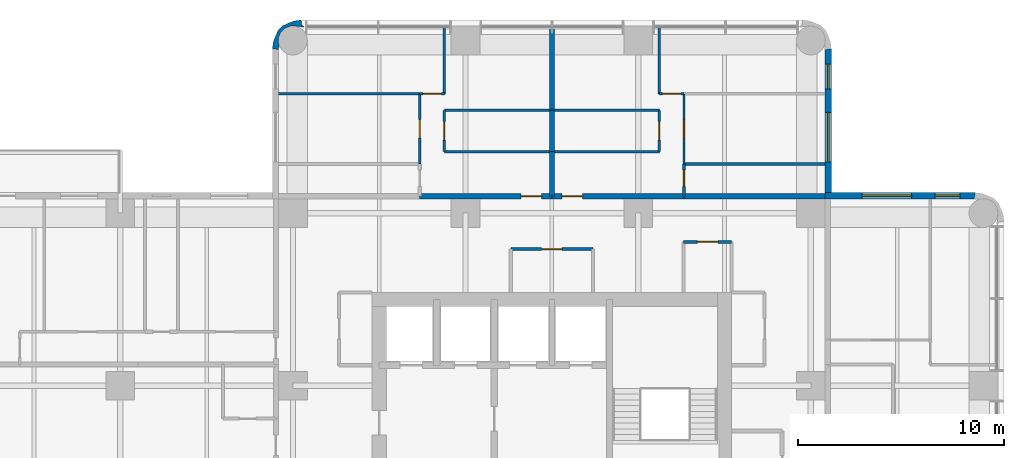
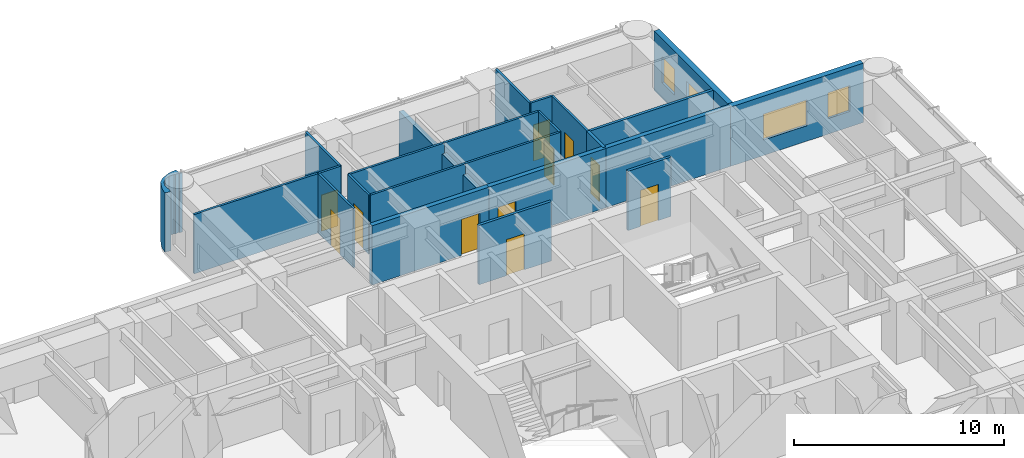
# One storey, part 9 of 11: 26 walls, 11 doors, 4 windows, 15 openings.
"""IFC4 building model written with IfcOpenShell, lengths in metres."""

from ifc_helpers import new_model, si_unit, direction, frame, frame_2d, origin, place, context, subcontext, project, spatial, polyline, rectangle, outline, extrude, material, layer, layer_set, type_object, element, fill, save


model = new_model("IFC4")

# Units and contexts
model_context = context("Model", 3, precision=1e-05, world=origin(), true_north=direction((0.0, 1.0)))
body_context = subcontext(model_context, "Body", "Model", "MODEL_VIEW")
ifc_project = project(units=[si_unit("LENGTHUNIT", "METRE"), si_unit("AREAUNIT", "SQUARE_METRE"), si_unit("VOLUMEUNIT", "CUBIC_METRE"), si_unit("PLANEANGLEUNIT", "RADIAN"), si_unit("MASSUNIT", "GRAM", prefix="KILO")], contexts=[model_context])

# Site, building, storey
site_placement = place(None, origin())
site = spatial("IfcSite", under=ifc_project, at=site_placement, CompositionType="ELEMENT")
building_placement = place(site_placement, origin())
building = spatial("IfcBuilding", under=site, at=building_placement, Name="Torre Alcanfor", CompositionType="ELEMENT")
storey_placement = place(building_placement, frame((0.0, 0.0, 212.10009765625)))
storey = spatial("IfcBuildingStorey", under=building, at=storey_placement, Name="L55", CompositionType="ELEMENT", Elevation=212.10009765625)

# Wall, opening, door
ifc_material_1 = material(Name="Concrete block masonry, hollow blocks NMX-C-404 9 MPa", Category="masonry")
ifc_layer_1 = layer(ifc_material_1, 0.25)
ifc_layer_set_1 = layer_set([ifc_layer_1], Name="Apartment entrance wall 250 EI 60")
wall_type_1 = type_object("IfcWallType", Name="Apartment entrance wall 250 EI 60", PredefinedType="PARTITIONING", material=ifc_layer_set_1)
wall_1_placement = place(storey_placement, frame((22.970947265625, 42.824951171875, 0.0), z_axis=(0.0, 0.0, 1.0), x_axis=(1.0, 0.0, 0.0)))
wall_1 = element("IfcWall", 1, at=wall_1_placement, inside=storey, type_object=wall_type_1, Name="Partition L55-CORR / L55-N1-LIVING", PredefinedType="PARTITIONING", context=body_context, shape_type="SweptSolid", body=[
    extrude(rectangle(XDim=6.428955078125, YDim=0.25, at=frame_2d((3.21435546875, 0.0))), origin(), (0.0, 0.0, 1.0), 3.449951171875),
])
opening_1_placement = place(wall_1_placement, frame((4.928955078125, 0.0, 0.0)))
opening_1 = element("IfcOpeningElement", 2, at=opening_1_placement, cuts=wall_1, Name="Opening D-A1", PredefinedType="OPENING", context=body_context, shape_type="SweptSolid", body=[
    extrude(rectangle(XDim=1.0, YDim=2.10009765625, at=frame_2d((0.5, 1.050048828125))), frame((0.0, 0.135009765625, 0.0), z_axis=(0.0, -1.0, 0.0), x_axis=(1.0, 0.0, 0.0)), (0.0, 0.0, 1.0), 0.27001953125),
])
ifc_material_2 = material(Name="Galvanised steel sheet ASTM A653", Category="steel")
door_type_1 = type_object("IfcDoorType", Name="Apartment entrance door FD60 1000x2100", OperationType="SINGLE_SWING_LEFT", PredefinedType="DOOR", material=ifc_material_2)
door_1_placement = place(opening_1_placement, origin())
door_1 = element("IfcDoor", 3, at=door_1_placement, inside=storey, type_object=door_type_1, Name="Apartment entrance L55-N1", OperationType="SINGLE_SWING_RIGHT", OverallHeight=2.10009765625, OverallWidth=1.0, PredefinedType="DOOR", context=body_context, shape_type="SweptSolid", body=[
    extrude(rectangle(XDim=1.0, YDim=2.10009765625, at=frame_2d((0.5, 1.050048828125))), frame((0.0, 0.02490234375, 0.0), z_axis=(0.0, -1.0, 0.0), x_axis=(1.0, 0.0, 0.0)), (0.0, 0.0, 1.0), 0.050048828125),
])
fill(opening_1, door_1)

wall_2_placement = place(storey_placement, frame((29.39990234375, 42.824951171875, 0.0), z_axis=(0.0, 0.0, 1.0), x_axis=(1.0, 0.0, 0.0)))
wall_2 = element("IfcWall", 4, at=wall_2_placement, inside=storey, type_object=wall_type_1, Name="Partition L55-CORR / L55-N2-LIVING", PredefinedType="PARTITIONING", context=body_context, shape_type="SweptSolid", body=[
    extrude(rectangle(XDim=6.42919921875, YDim=0.25, at=frame_2d((3.214599609375, 0.0))), origin(), (0.0, 0.0, 1.0), 3.449951171875),
])
opening_2_placement = place(wall_2_placement, frame((0.5, 0.0, 0.0)))
opening_2 = element("IfcOpeningElement", 5, at=opening_2_placement, cuts=wall_2, Name="Opening D-A1", PredefinedType="OPENING", context=body_context, shape_type="SweptSolid", body=[
    extrude(rectangle(XDim=1.0, YDim=2.10009765625, at=frame_2d((0.5, 1.050048828125))), frame((0.0, 0.135009765625, 0.0), z_axis=(0.0, -1.0, 0.0), x_axis=(1.0, 0.0, 0.0)), (0.0, 0.0, 1.0), 0.27001953125),
])
door_2_placement = place(opening_2_placement, origin())
door_2 = element("IfcDoor", 6, at=door_2_placement, inside=storey, type_object=door_type_1, Name="Apartment entrance L55-N2", OperationType="SINGLE_SWING_LEFT", OverallHeight=2.10009765625, OverallWidth=1.0, PredefinedType="DOOR", context=body_context, shape_type="SweptSolid", body=[
    extrude(rectangle(XDim=1.0, YDim=2.10009765625, at=frame_2d((0.5, 1.050048828125))), frame((0.0, 0.02490234375, 0.0), z_axis=(0.0, -1.0, 0.0), x_axis=(1.0, 0.0, 0.0)), (0.0, 0.0, 1.0), 0.050048828125),
])
fill(opening_2, door_2)

# Walls
wall_3_placement = place(storey_placement, frame((35.8291015625, 42.824951171875, 0.0), z_axis=(0.0, 0.0, 1.0), x_axis=(1.0, 0.0, 0.0)))
element("IfcWall", 7, at=wall_3_placement, inside=storey, type_object=wall_type_1, Name="Partition L55-CORR / L55-N2-BATH", PredefinedType="PARTITIONING", context=body_context, shape_type="SweptSolid", body=[
    extrude(rectangle(XDim=6.870849609375, YDim=0.25, at=frame_2d((3.435546875, 0.0))), origin(), (0.0, 0.0, 1.0), 3.449951171875),
])
ifc_material_3 = material(Name="Gypsum board on steel studs", Category="steel")
ifc_layer_2 = layer(ifc_material_3, 0.1201171875)
ifc_layer_set_2 = layer_set([ifc_layer_2], Name="Apartment partition 120")
wall_type_2 = type_object("IfcWallType", Name="Apartment partition 120", PredefinedType="PARTITIONING", material=ifc_layer_set_2)
wall_4_placement = place(storey_placement, frame((29.39990234375, 47.0, 0.0), z_axis=(0.0, 0.0, 1.0), x_axis=(-1.0, 0.0, 0.0)))
element("IfcWall", 8, at=wall_4_placement, inside=storey, type_object=wall_type_2, Name="Partition L55-N1-KITCHEN / L55-N1-LIVING", PredefinedType="PARTITIONING", context=body_context, shape_type="SweptSolid", body=[
    extrude(rectangle(XDim=5.22900390625, YDim=0.1201171875, at=frame_2d((2.614501953125, 0.0))), origin(), (0.0, 0.0, 1.0), 3.449951171875),
])

# Wall, opening, door
wall_5_placement = place(storey_placement, frame((24.1708984375, 47.0, 0.0), z_axis=(0.0, 0.0, 1.0), x_axis=(0.0, -1.0, 0.0)))
wall_5 = element("IfcWall", 9, at=wall_5_placement, inside=storey, type_object=wall_type_2, Name="Partition L55-N1-KITCHEN / L55-N1-LIVING", PredefinedType="PARTITIONING", context=body_context, shape_type="SweptSolid", body=[
    extrude(rectangle(XDim=2.0, YDim=0.1201171875, at=frame_2d((1.0, 0.0))), origin(), (0.0, 0.0, 1.0), 3.449951171875),
])
opening_3_placement = place(wall_5_placement, frame((0.550048828125, 0.0, 0.0)))
opening_3 = element("IfcOpeningElement", 10, at=opening_3_placement, cuts=wall_5, Name="Opening D-R1", PredefinedType="OPENING", context=body_context, shape_type="SweptSolid", body=[
    extrude(rectangle(XDim=0.89990234375, YDim=2.10009765625, at=frame_2d((0.449951171875, 1.050048828125))), frame((0.0, 0.070068359375, 0.0), z_axis=(0.0, -1.0, 0.0), x_axis=(1.0, 0.0, 0.0)), (0.0, 0.0, 1.0), 0.14013671875),
])
ifc_material_4 = material(Name="Timber", Category="wood")
door_type_2 = type_object("IfcDoorType", Name="Internal door 900x2100", OperationType="SINGLE_SWING_LEFT", PredefinedType="DOOR", material=ifc_material_4)
door_3_placement = place(opening_3_placement, origin())
door_3 = element("IfcDoor", 11, at=door_3_placement, inside=storey, type_object=door_type_2, Name="Door L55-N1 kitchen", OperationType="SINGLE_SWING_LEFT", OverallHeight=2.10009765625, OverallWidth=0.89990234375, PredefinedType="DOOR", context=body_context, shape_type="SweptSolid", body=[
    extrude(rectangle(XDim=0.89990234375, YDim=2.10009765625, at=frame_2d((0.449951171875, 1.050048828125))), frame((0.0, 0.02490234375, 0.0), z_axis=(0.0, -1.0, 0.0), x_axis=(1.0, 0.0, 0.0)), (0.0, 0.0, 1.0), 0.050048828125),
])
fill(opening_3, door_3)

# Wall
wall_6_placement = place(storey_placement, frame((24.1708984375, 45.0, 0.0), z_axis=(0.0, 0.0, 1.0), x_axis=(1.0, 0.0, 0.0)))
element("IfcWall", 12, at=wall_6_placement, inside=storey, type_object=wall_type_2, Name="Partition L55-N1-KITCHEN / L55-N1-LIVING", PredefinedType="PARTITIONING", context=body_context, shape_type="SweptSolid", body=[
    extrude(rectangle(XDim=5.22900390625, YDim=0.1201171875, at=frame_2d((2.614501953125, 0.0))), origin(), (0.0, 0.0, 1.0), 3.449951171875),
])

# Wall, opening, door
wall_7_placement = place(storey_placement, frame((22.970947265625, 44.39990234375, 0.0), z_axis=(0.0, 0.0, 1.0), x_axis=(0.0, 1.0, 0.0)))
wall_7 = element("IfcWall", 13, at=wall_7_placement, inside=storey, type_object=wall_type_2, Name="Partition L55-N1-LIVING / L55-N1-STUDY", PredefinedType="PARTITIONING", context=body_context, shape_type="SweptSolid", body=[
    extrude(rectangle(XDim=3.400146484375, YDim=0.1201171875, at=frame_2d((1.7001953125, 0.0))), origin(), (0.0, 0.0, 1.0), 3.449951171875),
])
opening_4_placement = place(wall_7_placement, frame((1.25, 0.0, 0.0)))
opening_4 = element("IfcOpeningElement", 14, at=opening_4_placement, cuts=wall_7, Name="Opening D-R1", PredefinedType="OPENING", context=body_context, shape_type="SweptSolid", body=[
    extrude(rectangle(XDim=0.89990234375, YDim=2.10009765625, at=frame_2d((0.449951171875, 1.050048828125))), frame((0.0, 0.070068359375, 0.0), z_axis=(0.0, -1.0, 0.0), x_axis=(1.0, 0.0, 0.0)), (0.0, 0.0, 1.0), 0.14013671875),
])
door_4_placement = place(opening_4_placement, origin())
door_4 = element("IfcDoor", 15, at=door_4_placement, inside=storey, type_object=door_type_2, Name="Door L55-N1 study", OperationType="SINGLE_SWING_LEFT", OverallHeight=2.10009765625, OverallWidth=0.89990234375, PredefinedType="DOOR", context=body_context, shape_type="SweptSolid", body=[
    extrude(rectangle(XDim=0.89990234375, YDim=2.10009765625, at=frame_2d((0.449951171875, 1.050048828125))), frame((0.0, 0.02490234375, 0.0), z_axis=(0.0, -1.0, 0.0), x_axis=(1.0, 0.0, 0.0)), (0.0, 0.0, 1.0), 0.050048828125),
])
fill(opening_4, door_4)

wall_8_placement = place(storey_placement, frame((22.970947265625, 47.800048828125, 0.0), z_axis=(0.0, 0.0, 1.0), x_axis=(1.0, 0.0, 0.0)))
wall_8 = element("IfcWall", 16, at=wall_8_placement, inside=storey, type_object=wall_type_2, Name="Partition L55-N1-LIVING / L55-N1-MASTER", PredefinedType="PARTITIONING", context=body_context, shape_type="SweptSolid", body=[
    extrude(rectangle(XDim=1.199951171875, YDim=0.1201171875, at=frame_2d((0.60009765625, 0.0))), origin(), (0.0, 0.0, 1.0), 3.449951171875),
])
opening_5_placement = place(wall_8_placement, frame((0.14892578125, 0.0, 0.0)))
opening_5 = element("IfcOpeningElement", 17, at=opening_5_placement, cuts=wall_8, Name="Opening D-R1", PredefinedType="OPENING", context=body_context, shape_type="SweptSolid", body=[
    extrude(rectangle(XDim=0.89990234375, YDim=2.10009765625, at=frame_2d((0.449951171875, 1.050048828125))), frame((0.0, 0.070068359375, 0.0), z_axis=(0.0, -1.0, 0.0), x_axis=(1.0, 0.0, 0.0)), (0.0, 0.0, 1.0), 0.14013671875),
])
door_5_placement = place(opening_5_placement, origin())
door_5 = element("IfcDoor", 18, at=door_5_placement, inside=storey, type_object=door_type_2, Name="Door L55-N1 master", OperationType="SINGLE_SWING_RIGHT", OverallHeight=2.10009765625, OverallWidth=0.89990234375, PredefinedType="DOOR", context=body_context, shape_type="SweptSolid", body=[
    extrude(rectangle(XDim=0.89990234375, YDim=2.10009765625, at=frame_2d((0.449951171875, 1.050048828125))), frame((0.0, 0.02490234375, 0.0), z_axis=(0.0, -1.0, 0.0), x_axis=(1.0, 0.0, 0.0)), (0.0, 0.0, 1.0), 0.050048828125),
])
fill(opening_5, door_5)

# Walls
wall_9_placement = place(storey_placement, frame((24.1708984375, 47.800048828125, 0.0), z_axis=(0.0, 0.0, 1.0), x_axis=(0.0, 1.0, 0.0)))
element("IfcWall", 19, at=wall_9_placement, inside=storey, type_object=wall_type_2, Name="Partition L55-N1-LIVING / L55-N1-MASTER", PredefinedType="PARTITIONING", context=body_context, shape_type="SweptSolid", body=[
    extrude(rectangle(XDim=3.25, YDim=0.1201171875, at=frame_2d((1.625, 0.0))), origin(), (0.0, 0.0, 1.0), 3.449951171875),
])
wall_10_placement = place(storey_placement, frame((22.970947265625, 47.800048828125, 0.0), z_axis=(0.0, 0.0, 1.0), x_axis=(-1.0, 0.0, 0.0)))
element("IfcWall", 20, at=wall_10_placement, inside=storey, type_object=wall_type_2, Name="Partition L55-N1-STUDY / L55-N1-MASTER", PredefinedType="PARTITIONING", context=body_context, shape_type="SweptSolid", body=[
    extrude(rectangle(XDim=6.870849609375, YDim=0.1201171875, at=frame_2d((3.435546875, 0.0))), origin(), (0.0, 0.0, 1.0), 3.449951171875),
])
wall_11_placement = place(storey_placement, frame((29.39990234375, 47.0, 0.0), z_axis=(0.0, 0.0, 1.0), x_axis=(1.0, 0.0, 0.0)))
element("IfcWall", 21, at=wall_11_placement, inside=storey, type_object=wall_type_2, Name="Partition L55-N2-KITCHEN / L55-N2-LIVING", PredefinedType="PARTITIONING", context=body_context, shape_type="SweptSolid", body=[
    extrude(rectangle(XDim=5.22900390625, YDim=0.1201171875, at=frame_2d((2.614501953125, 0.0))), origin(), (0.0, 0.0, 1.0), 3.449951171875),
])

# Wall, opening, door
wall_12_placement = place(storey_placement, frame((34.62890625, 47.0, 0.0), z_axis=(0.0, 0.0, 1.0), x_axis=(0.0, -1.0, 0.0)))
wall_12 = element("IfcWall", 22, at=wall_12_placement, inside=storey, type_object=wall_type_2, Name="Partition L55-N2-KITCHEN / L55-N2-LIVING", PredefinedType="PARTITIONING", context=body_context, shape_type="SweptSolid", body=[
    extrude(rectangle(XDim=2.0, YDim=0.1201171875, at=frame_2d((1.0, 0.0))), origin(), (0.0, 0.0, 1.0), 3.449951171875),
])
opening_6_placement = place(wall_12_placement, frame((0.550048828125, 0.0, 0.0)))
opening_6 = element("IfcOpeningElement", 23, at=opening_6_placement, cuts=wall_12, Name="Opening D-R1", PredefinedType="OPENING", context=body_context, shape_type="SweptSolid", body=[
    extrude(rectangle(XDim=0.89990234375, YDim=2.10009765625, at=frame_2d((0.449951171875, 1.050048828125))), frame((0.0, 0.070068359375, 0.0), z_axis=(0.0, -1.0, 0.0), x_axis=(1.0, 0.0, 0.0)), (0.0, 0.0, 1.0), 0.14013671875),
])
door_6_placement = place(opening_6_placement, frame((0.89990234375, 0.0, 0.0), z_axis=(0.0, 0.0, 1.0), x_axis=(-1.0, 0.0, 0.0)))
door_6 = element("IfcDoor", 24, at=door_6_placement, inside=storey, type_object=door_type_2, Name="Door L55-N2 kitchen", OperationType="SINGLE_SWING_RIGHT", OverallHeight=2.10009765625, OverallWidth=0.89990234375, PredefinedType="DOOR", context=body_context, shape_type="SweptSolid", body=[
    extrude(rectangle(XDim=0.89990234375, YDim=2.10009765625, at=frame_2d((0.449951171875, 1.050048828125))), frame((0.0, 0.025146484375, 0.0), z_axis=(0.0, -1.0, 0.0), x_axis=(1.0, 0.0, 0.0)), (0.0, 0.0, 1.0), 0.050048828125),
])
fill(opening_6, door_6)

# Wall
wall_13_placement = place(storey_placement, frame((34.62890625, 45.0, 0.0), z_axis=(0.0, 0.0, 1.0), x_axis=(-1.0, 0.0, 0.0)))
element("IfcWall", 25, at=wall_13_placement, inside=storey, type_object=wall_type_2, Name="Partition L55-N2-KITCHEN / L55-N2-LIVING", PredefinedType="PARTITIONING", context=body_context, shape_type="SweptSolid", body=[
    extrude(rectangle(XDim=5.22900390625, YDim=0.1201171875, at=frame_2d((2.614501953125, 0.0))), origin(), (0.0, 0.0, 1.0), 3.449951171875),
])

# Wall, opening, door
wall_14_placement = place(storey_placement, frame((35.8291015625, 47.800048828125, 0.0), z_axis=(0.0, 0.0, 1.0), x_axis=(0.0, -1.0, 0.0)))
wall_14 = element("IfcWall", 26, at=wall_14_placement, inside=storey, type_object=wall_type_2, Name="Partition L55-N2-LIVING / L55-N2-STUDY", PredefinedType="PARTITIONING", context=body_context, shape_type="SweptSolid", body=[
    extrude(rectangle(XDim=3.400146484375, YDim=0.1201171875, at=frame_2d((1.7001953125, 0.0))), origin(), (0.0, 0.0, 1.0), 3.449951171875),
])
opening_7_placement = place(wall_14_placement, frame((1.25, 0.0, 0.0)))
opening_7 = element("IfcOpeningElement", 27, at=opening_7_placement, cuts=wall_14, Name="Opening D-R1", PredefinedType="OPENING", context=body_context, shape_type="SweptSolid", body=[
    extrude(rectangle(XDim=0.89990234375, YDim=2.10009765625, at=frame_2d((0.449951171875, 1.050048828125))), frame((0.0, 0.070068359375, 0.0), z_axis=(0.0, -1.0, 0.0), x_axis=(1.0, 0.0, 0.0)), (0.0, 0.0, 1.0), 0.14013671875),
])
door_7_placement = place(opening_7_placement, origin())
door_7 = element("IfcDoor", 28, at=door_7_placement, inside=storey, type_object=door_type_2, Name="Door L55-N2 study", OperationType="SINGLE_SWING_LEFT", OverallHeight=2.10009765625, OverallWidth=0.89990234375, PredefinedType="DOOR", context=body_context, shape_type="SweptSolid", body=[
    extrude(rectangle(XDim=0.89990234375, YDim=2.10009765625, at=frame_2d((0.449951171875, 1.050048828125))), frame((0.0, 0.02490234375, 0.0), z_axis=(0.0, -1.0, 0.0), x_axis=(1.0, 0.0, 0.0)), (0.0, 0.0, 1.0), 0.050048828125),
])
fill(opening_7, door_7)

# Wall
wall_15_placement = place(storey_placement, frame((34.62890625, 51.050048828125, 0.0), z_axis=(0.0, 0.0, 1.0), x_axis=(0.0, -1.0, 0.0)))
element("IfcWall", 29, at=wall_15_placement, inside=storey, type_object=wall_type_2, Name="Partition L55-N2-LIVING / L55-N2-MASTER", PredefinedType="PARTITIONING", context=body_context, shape_type="SweptSolid", body=[
    extrude(rectangle(XDim=3.25, YDim=0.1201171875, at=frame_2d((1.625, 0.0))), origin(), (0.0, 0.0, 1.0), 3.449951171875),
])

# Wall, opening, door
wall_16_placement = place(storey_placement, frame((34.62890625, 47.800048828125, 0.0), z_axis=(0.0, 0.0, 1.0), x_axis=(1.0, 0.0, 0.0)))
wall_16 = element("IfcWall", 30, at=wall_16_placement, inside=storey, type_object=wall_type_2, Name="Partition L55-N2-LIVING / L55-N2-MASTER", PredefinedType="PARTITIONING", context=body_context, shape_type="SweptSolid", body=[
    extrude(rectangle(XDim=1.2001953125, YDim=0.1201171875, at=frame_2d((0.60009765625, 0.0))), origin(), (0.0, 0.0, 1.0), 3.449951171875),
])
opening_8_placement = place(wall_16_placement, frame((0.15087890625, 0.0, 0.0)))
opening_8 = element("IfcOpeningElement", 31, at=opening_8_placement, cuts=wall_16, Name="Opening D-R1", PredefinedType="OPENING", context=body_context, shape_type="SweptSolid", body=[
    extrude(rectangle(XDim=0.89990234375, YDim=2.10009765625, at=frame_2d((0.449951171875, 1.050048828125))), frame((0.0, 0.070068359375, 0.0), z_axis=(0.0, -1.0, 0.0), x_axis=(1.0, 0.0, 0.0)), (0.0, 0.0, 1.0), 0.14013671875),
])
door_8_placement = place(opening_8_placement, origin())
door_8 = element("IfcDoor", 32, at=door_8_placement, inside=storey, type_object=door_type_2, Name="Door L55-N2 master", OperationType="SINGLE_SWING_LEFT", OverallHeight=2.10009765625, OverallWidth=0.89990234375, PredefinedType="DOOR", context=body_context, shape_type="SweptSolid", body=[
    extrude(rectangle(XDim=0.89990234375, YDim=2.10009765625, at=frame_2d((0.449951171875, 1.050048828125))), frame((0.0, 0.02490234375, 0.0), z_axis=(0.0, -1.0, 0.0), x_axis=(1.0, 0.0, 0.0)), (0.0, 0.0, 1.0), 0.050048828125),
])
fill(opening_8, door_8)

# Wall, openings, windows
ifc_material_5 = material(Name="Limestone cladding", Category="masonry")
ifc_layer_3 = layer(ifc_material_5, 0.0400390625, Name="Facing")
ifc_material_6 = material(Name="Ventilated air cavity")
ifc_layer_4 = layer(ifc_material_6, 0.02001953125, ventilated=True, Name="Ventilated joint")
ifc_material_7 = material(Name="Mineral wool insulation", Category="insulation")
ifc_layer_5 = layer(ifc_material_7, 0.10009765625, Name="Insulation")
ifc_material_8 = material(Name="Concrete f'c 35 MPa", Category="concrete")
ifc_layer_6 = layer(ifc_material_8, 0.139892578125, Name="Backing")
ifc_layer_set_3 = layer_set([ifc_layer_3, ifc_layer_4, ifc_layer_5, ifc_layer_6], Name="External wall stone-clad 300")
wall_type_3 = type_object("IfcWallType", Name="External wall stone-clad 300", PredefinedType="SOLIDWALL", material=ifc_layer_set_3)
wall_17_placement = place(storey_placement, frame((50.0, 42.85009765625, 0.0), z_axis=(0.0, 0.0, 1.0), x_axis=(-1.0, 0.0, 0.0)))
wall_17 = element("IfcWall", 33, at=wall_17_placement, inside=storey, type_object=wall_type_3, Name="External wall L55 9", PredefinedType="SOLIDWALL", context=body_context, shape_type="SweptSolid", body=[
    extrude(rectangle(XDim=7.300048828125, YDim=0.300048828125, at=frame_2d((3.64990234375, 0.0))), origin(), (0.0, 0.0, 1.0), 3.449951171875),
])
opening_9_placement = place(wall_17_placement, frame((3.10009765625, 0.0, 0.89990234375)))
opening_9 = element("IfcOpeningElement", 34, at=opening_9_placement, cuts=wall_17, Name="Opening W1", PredefinedType="OPENING", context=body_context, shape_type="SweptSolid", body=[
    extrude(rectangle(XDim=2.39990234375, YDim=1.5, at=frame_2d((1.199951171875, 0.75))), frame((0.0, 0.159912109375, 0.0), z_axis=(0.0, -1.0, 0.0), x_axis=(1.0, 0.0, 0.0)), (0.0, 0.0, 1.0), 0.320068359375),
])
opening_10_placement = place(wall_17_placement, frame((0.75, 0.0, 0.89990234375)))
opening_10 = element("IfcOpeningElement", 35, at=opening_10_placement, cuts=wall_17, Name="Opening W4", PredefinedType="OPENING", context=body_context, shape_type="SweptSolid", body=[
    extrude(rectangle(XDim=1.199951171875, YDim=1.5, at=frame_2d((0.60009765625, 0.75))), frame((0.0, 0.159912109375, 0.0), z_axis=(0.0, -1.0, 0.0), x_axis=(1.0, 0.0, 0.0)), (0.0, 0.0, 1.0), 0.320068359375),
])
ifc_material_9 = material(Name="Aluminium frame with clear double glazing", Category="aluminium")
window_type_1 = type_object("IfcWindowType", Name="Window bedroom 1200x1500", PartitioningType="SINGLE_PANEL", PredefinedType="WINDOW", material=ifc_material_9)
window_1_placement = place(opening_10_placement, origin())
window_1 = element("IfcWindow", 36, at=window_1_placement, inside=storey, type_object=window_type_1, Name="Window W4 L55-E1", OverallHeight=1.5, OverallWidth=1.199951171875, PartitioningType="SINGLE_PANEL", PredefinedType="WINDOW", context=body_context, shape_type="SweptSolid", body=[
    extrude(rectangle(XDim=1.199951171875, YDim=1.5, at=frame_2d((0.60009765625, 0.75))), frame((0.0, 0.030029296875, 0.0), z_axis=(0.0, -1.0, 0.0), x_axis=(1.0, 0.0, 0.0)), (0.0, 0.0, 1.0), 0.06005859375),
])
fill(opening_10, window_1)
ifc_material_10 = material(Name="Aluminium frame with clear double glazing", Category="aluminium")
window_type_2 = type_object("IfcWindowType", Name="Window bedroom 2400x1500", PartitioningType="SINGLE_PANEL", PredefinedType="WINDOW", material=ifc_material_10)
window_2_placement = place(opening_9_placement, origin())
window_2 = element("IfcWindow", 37, at=window_2_placement, inside=storey, type_object=window_type_2, Name="Window W1 L55-E1", OverallHeight=1.5, OverallWidth=2.39990234375, PartitioningType="SINGLE_PANEL", PredefinedType="WINDOW", context=body_context, shape_type="SweptSolid", body=[
    extrude(rectangle(XDim=2.39990234375, YDim=1.5, at=frame_2d((1.199951171875, 0.75))), frame((0.0, 0.030029296875, 0.0), z_axis=(0.0, -1.0, 0.0), x_axis=(1.0, 0.0, 0.0)), (0.0, 0.0, 1.0), 0.06005859375),
])
fill(opening_9, window_2)

wall_18_placement = place(storey_placement, frame((42.85009765625, 43.0, 0.0), z_axis=(0.0, 0.0, 1.0), x_axis=(0.0, 1.0, 0.0)))
wall_18 = element("IfcWall", 38, at=wall_18_placement, inside=storey, type_object=wall_type_3, Name="External wall L55 10", PredefinedType="SOLIDWALL", context=body_context, shape_type="SweptSolid", body=[
    extrude(rectangle(XDim=7.0, YDim=0.300048828125, at=frame_2d((3.5, 0.0))), origin(), (0.0, 0.0, 1.0), 3.449951171875),
])
opening_11_placement = place(wall_18_placement, frame((1.5, 0.0, 0.89990234375)))
opening_11 = element("IfcOpeningElement", 39, at=opening_11_placement, cuts=wall_18, Name="Opening W1", PredefinedType="OPENING", context=body_context, shape_type="SweptSolid", body=[
    extrude(rectangle(XDim=2.39990234375, YDim=1.5, at=frame_2d((1.199951171875, 0.75))), frame((0.0, 0.159912109375, 0.0), z_axis=(0.0, -1.0, 0.0), x_axis=(1.0, 0.0, 0.0)), (0.0, 0.0, 1.0), 0.320068359375),
])
opening_12_placement = place(wall_18_placement, frame((5.050048828125, 0.0, 0.89990234375)))
opening_12 = element("IfcOpeningElement", 40, at=opening_12_placement, cuts=wall_18, Name="Opening W4", PredefinedType="OPENING", context=body_context, shape_type="SweptSolid", body=[
    extrude(rectangle(XDim=1.199951171875, YDim=1.5, at=frame_2d((0.60009765625, 0.75))), frame((0.0, 0.159912109375, 0.0), z_axis=(0.0, -1.0, 0.0), x_axis=(1.0, 0.0, 0.0)), (0.0, 0.0, 1.0), 0.320068359375),
])
window_3_placement = place(opening_12_placement, origin())
window_3 = element("IfcWindow", 41, at=window_3_placement, inside=storey, type_object=window_type_1, Name="Window W4 L55-N2", OverallHeight=1.5, OverallWidth=1.199951171875, PartitioningType="SINGLE_PANEL", PredefinedType="WINDOW", context=body_context, shape_type="SweptSolid", body=[
    extrude(rectangle(XDim=1.199951171875, YDim=1.5, at=frame_2d((0.60009765625, 0.75))), frame((0.0, 0.030029296875, 0.0), z_axis=(0.0, -1.0, 0.0), x_axis=(1.0, 0.0, 0.0)), (0.0, 0.0, 1.0), 0.06005859375),
])
fill(opening_12, window_3)
window_4_placement = place(opening_11_placement, origin())
window_4 = element("IfcWindow", 42, at=window_4_placement, inside=storey, type_object=window_type_2, Name="Window W1 L55-N2", OverallHeight=1.5, OverallWidth=2.39990234375, PartitioningType="SINGLE_PANEL", PredefinedType="WINDOW", context=body_context, shape_type="SweptSolid", body=[
    extrude(rectangle(XDim=2.39990234375, YDim=1.5, at=frame_2d((1.199951171875, 0.75))), frame((0.0, 0.030029296875, 0.0), z_axis=(0.0, -1.0, 0.0), x_axis=(1.0, 0.0, 0.0)), (0.0, 0.0, 1.0), 0.06005859375),
])
fill(opening_11, window_4)

# Walls
ifc_material_11 = material(Name="Concrete block masonry, hollow blocks NMX-C-404 9 MPa", Category="masonry")
ifc_layer_7 = layer(ifc_material_11, 0.25)
ifc_layer_set_4 = layer_set([ifc_layer_7], Name="Party wall 250 EI 60")
wall_type_4 = type_object("IfcWallType", Name="Party wall 250 EI 60", PredefinedType="PARTITIONING", material=ifc_layer_set_4)
wall_19_placement = place(storey_placement, frame((29.39990234375, 45.0, 0.0), z_axis=(0.0, 0.0, 1.0), x_axis=(0.0, 1.0, 0.0)))
element("IfcWall", 43, at=wall_19_placement, inside=storey, type_object=wall_type_4, Name="Partition L55-N1-KITCHEN / L55-N2-KITCHEN", PredefinedType="PARTITIONING", context=body_context, shape_type="SweptSolid", body=[
    extrude(rectangle(XDim=2.0, YDim=0.25, at=frame_2d((1.0, 0.0))), origin(), (0.0, 0.0, 1.0), 2.847900390625),
])
wall_20_placement = place(storey_placement, frame((29.39990234375, 45.0, 0.0), z_axis=(0.0, 0.0, 1.0), x_axis=(0.0, -1.0, 0.0)))
element("IfcWall", 44, at=wall_20_placement, inside=storey, type_object=wall_type_4, Name="Partition L55-N1-LIVING / L55-N2-LIVING", PredefinedType="PARTITIONING", context=body_context, shape_type="SweptSolid", body=[
    extrude(rectangle(XDim=2.175048828125, YDim=0.25, at=frame_2d((1.08740234375, 0.0))), origin(), (0.0, 0.0, 1.0), 2.847900390625),
])
wall_21_placement = place(storey_placement, frame((29.39990234375, 51.050048828125, 0.0), z_axis=(0.0, 0.0, 1.0), x_axis=(0.0, -1.0, 0.0)))
element("IfcWall", 45, at=wall_21_placement, inside=storey, type_object=wall_type_4, Name="Partition L55-N1-LIVING / L55-N2-LIVING", PredefinedType="PARTITIONING", context=body_context, shape_type="SweptSolid", body=[
    extrude(rectangle(XDim=4.050048828125, YDim=0.25, at=frame_2d((2.02490234375, 0.0))), origin(), (0.0, 0.0, 1.0), 2.847900390625),
])

# Wall, opening, door
ifc_material_12 = material(Name="Concrete block masonry, hollow blocks NMX-C-404 9 MPa", Category="masonry")
ifc_layer_8 = layer(ifc_material_12, 0.14990234375)
ifc_layer_set_5 = layer_set([ifc_layer_8], Name="Residents' room partition 150")
wall_type_5 = type_object("IfcWallType", Name="Residents' room partition 150", PredefinedType="PARTITIONING", material=ifc_layer_set_5)
wall_22_placement = place(storey_placement, frame((31.39990234375, 40.25, 0.0), z_axis=(0.0, 0.0, 1.0), x_axis=(-1.0, 0.0, 0.0)))
wall_22 = element("IfcWall", 46, at=wall_22_placement, inside=storey, type_object=wall_type_5, Name="Partition L55-CORR / L55-G01", PredefinedType="PARTITIONING", context=body_context, shape_type="SweptSolid", body=[
    extrude(rectangle(XDim=4.0, YDim=0.14990234375, at=frame_2d((2.0, 0.0))), origin(), (0.0, 0.0, 1.0), 3.449951171875),
])
opening_13_placement = place(wall_22_placement, frame((1.5, 0.0, 0.0)))
opening_13 = element("IfcOpeningElement", 47, at=opening_13_placement, cuts=wall_22, Name="Opening D-M1", PredefinedType="OPENING", context=body_context, shape_type="SweptSolid", body=[
    extrude(rectangle(XDim=1.0, YDim=2.10009765625, at=frame_2d((0.5, 1.050048828125))), frame((0.0, 0.0849609375, 0.0), z_axis=(0.0, -1.0, 0.0), x_axis=(1.0, 0.0, 0.0)), (0.0, 0.0, 1.0), 0.169921875),
])
ifc_material_13 = material(Name="Timber", Category="wood")
door_type_3 = type_object("IfcDoorType", Name="Residents' room door 1000x2100", OperationType="SINGLE_SWING_LEFT", PredefinedType="DOOR", material=ifc_material_13)
door_9_placement = place(opening_13_placement, origin())
door_9 = element("IfcDoor", 48, at=door_9_placement, inside=storey, type_object=door_type_3, Name="Door L55-G01 linen store", OperationType="SINGLE_SWING_LEFT", OverallHeight=2.10009765625, OverallWidth=1.0, PredefinedType="DOOR", context=body_context, shape_type="SweptSolid", body=[
    extrude(rectangle(XDim=1.0, YDim=2.10009765625, at=frame_2d((0.5, 1.050048828125))), frame((0.0, 0.02490234375, 0.0), z_axis=(0.0, -1.0, 0.0), x_axis=(1.0, 0.0, 0.0)), (0.0, 0.0, 1.0), 0.050048828125),
])
fill(opening_13, door_9)

wall_23_placement = place(storey_placement, frame((38.14990234375, 40.60009765625, 0.0), z_axis=(0.0, 0.0, 1.0), x_axis=(-1.0, 0.0, 0.0)))
wall_23 = element("IfcWall", 49, at=wall_23_placement, inside=storey, type_object=wall_type_5, Name="Partition L55-CORR / L55-G02", PredefinedType="PARTITIONING", context=body_context, shape_type="SweptSolid", body=[
    extrude(rectangle(XDim=2.349853515625, YDim=0.14990234375, at=frame_2d((1.1748046875, 0.0))), origin(), (0.0, 0.0, 1.0), 3.449951171875),
])
opening_14_placement = place(wall_23_placement, frame((0.675048828125, 0.0, 0.0)))
opening_14 = element("IfcOpeningElement", 50, at=opening_14_placement, cuts=wall_23, Name="Opening D-M1", PredefinedType="OPENING", context=body_context, shape_type="SweptSolid", body=[
    extrude(rectangle(XDim=1.0, YDim=2.10009765625, at=frame_2d((0.5, 1.050048828125))), frame((0.0, 0.0849609375, 0.0), z_axis=(0.0, -1.0, 0.0), x_axis=(1.0, 0.0, 0.0)), (0.0, 0.0, 1.0), 0.169921875),
])
door_10_placement = place(opening_14_placement, origin())
door_10 = element("IfcDoor", 51, at=door_10_placement, inside=storey, type_object=door_type_3, Name="Door L55-G02 residents' lockers", OperationType="SINGLE_SWING_LEFT", OverallHeight=2.10009765625, OverallWidth=1.0, PredefinedType="DOOR", context=body_context, shape_type="SweptSolid", body=[
    extrude(rectangle(XDim=1.0, YDim=2.10009765625, at=frame_2d((0.5, 1.050048828125))), frame((0.0, 0.02490234375, 0.0), z_axis=(0.0, -1.0, 0.0), x_axis=(1.0, 0.0, 0.0)), (0.0, 0.0, 1.0), 0.050048828125),
])
fill(opening_14, door_10)

# Wall
ifc_layer_9 = layer(ifc_material_5, 0.0400390625, Name="Facing")
ifc_layer_10 = layer(ifc_material_6, 0.02001953125, ventilated=True, Name="Ventilated joint")
ifc_layer_11 = layer(ifc_material_7, 0.10009765625, Name="Insulation")
ifc_layer_12 = layer(ifc_material_8, 0.139892578125, Name="Backing")
ifc_layer_set_6 = layer_set([ifc_layer_9, ifc_layer_10, ifc_layer_11, ifc_layer_12], Name="Rounded corner pier stone-clad 300")
wall_type_6 = type_object("IfcWallType", Name="Rounded corner pier stone-clad 300", PredefinedType="SOLIDWALL", material=ifc_layer_set_6)
wall_24_placement = place(storey_placement, frame((17.312325495, 50.98815184, 0.0), z_axis=(0.0, 0.0, 1.0), x_axis=(-0.439933741929, 0.898030234854, 0.0)))
element("IfcWall", 52, at=wall_24_placement, inside=storey, type_object=wall_type_6, Name="Corner pier L55 20", PredefinedType="SOLIDWALL", context=body_context, shape_type="SweptSolid", body=[
    extrude(outline(polyline([(0.1377143835604198, -0.039385181817258766), (0.1818364553516057, -0.0003747232930663008), (0.4192016580531099, -0.08022740006820503), (0.5358388106960636, 0.26607727478531357), (0.5587531272282371, 0.6308374918089354), (0.5545485345760868, 0.6511120475500328), (0.5663705271242188, 0.8356242584424797), (0.45553712270786306, 1.1593357577081085), (0.33310540567156155, 1.2978817433582523), (0.3240010425966217, 1.316478699637952), (0.08232775629815992, 1.5906485457460864), (-0.22208869605726766, 1.7927915068834772), (-0.3896080971502234, 1.5407383104861123), (-0.3718491984629172, 1.532038448890355), (-0.1945577897528935, 1.41446516530517), (-0.1197255547664915, 1.4096136894189937), (0.13065299215824444, 1.286956381488686), (0.3152401217440383, 1.07772560900137), (0.4057142184300525, 0.8140105545565798), (0.3881041552353981, 0.5355508442955765), (0.26544684730509027, 0.28517229737084054), (0.20907264065944553, 0.23558040158200633), (0.14755628183616776, 0.052848260637269044), (0.10502262325175554, 0.07368496618760154), (0.031879342428165675, -0.0756213301834538), (0.1377143835604198, -0.039385181817258766)])), origin(), (0.0, 0.0, 1.0), 3.449951171875),
])

# Wall, opening, door
ifc_material_14 = material(Name="Cement board on steel studs", Category="steel")
ifc_layer_13 = layer(ifc_material_14, 0.14990234375)
ifc_layer_set_7 = layer_set([ifc_layer_13], Name="Wet area partition 150")
wall_type_7 = type_object("IfcWallType", Name="Wet area partition 150", PredefinedType="PARTITIONING", material=ifc_layer_set_7)
wall_25_placement = place(storey_placement, frame((35.8291015625, 44.39990234375, 0.0), z_axis=(0.0, 0.0, 1.0), x_axis=(0.0, -1.0, 0.0)))
wall_25 = element("IfcWall", 53, at=wall_25_placement, inside=storey, type_object=wall_type_7, Name="Partition L55-N2-LIVING / L55-N2-BATH", PredefinedType="PARTITIONING", context=body_context, shape_type="SweptSolid", body=[
    extrude(rectangle(XDim=1.574951171875, YDim=0.14990234375, at=frame_2d((0.78759765625, 0.0))), origin(), (0.0, 0.0, 1.0), 3.449951171875),
])
opening_15_placement = place(wall_25_placement, frame((0.300048828125, 0.0, 0.0)))
opening_15 = element("IfcOpeningElement", 54, at=opening_15_placement, cuts=wall_25, Name="Opening D-R2", PredefinedType="OPENING", context=body_context, shape_type="SweptSolid", body=[
    extrude(rectangle(XDim=0.800048828125, YDim=2.10009765625, at=frame_2d((0.39990234375, 1.050048828125))), frame((0.0, 0.0849609375, 0.0), z_axis=(0.0, -1.0, 0.0), x_axis=(1.0, 0.0, 0.0)), (0.0, 0.0, 1.0), 0.169921875),
])
ifc_material_15 = material(Name="Timber", Category="wood")
door_type_4 = type_object("IfcDoorType", Name="Bathroom door 800x2100", OperationType="SINGLE_SWING_LEFT", PredefinedType="DOOR", material=ifc_material_15)
door_11_placement = place(opening_15_placement, origin())
door_11 = element("IfcDoor", 55, at=door_11_placement, inside=storey, type_object=door_type_4, Name="Door L55-N2 bath", OperationType="SINGLE_SWING_LEFT", OverallHeight=2.10009765625, OverallWidth=0.800048828125, PredefinedType="DOOR", context=body_context, shape_type="SweptSolid", body=[
    extrude(rectangle(XDim=0.800048828125, YDim=2.10009765625, at=frame_2d((0.39990234375, 1.050048828125))), frame((0.0, 0.02490234375, 0.0), z_axis=(0.0, -1.0, 0.0), x_axis=(1.0, 0.0, 0.0)), (0.0, 0.0, 1.0), 0.050048828125),
])
fill(opening_15, door_11)

# Wall
wall_26_placement = place(storey_placement, frame((35.8291015625, 44.39990234375, 0.0), z_axis=(0.0, 0.0, 1.0), x_axis=(1.0, 0.0, 0.0)))
element("IfcWall", 56, at=wall_26_placement, inside=storey, type_object=wall_type_7, Name="Partition L55-N2-BATH / L55-N2-STUDY", PredefinedType="PARTITIONING", context=body_context, shape_type="SweptSolid", body=[
    extrude(rectangle(XDim=6.870849609375, YDim=0.14990234375, at=frame_2d((3.435546875, 0.0))), origin(), (0.0, 0.0, 1.0), 3.449951171875),
])

save(model, "model.ifc")
